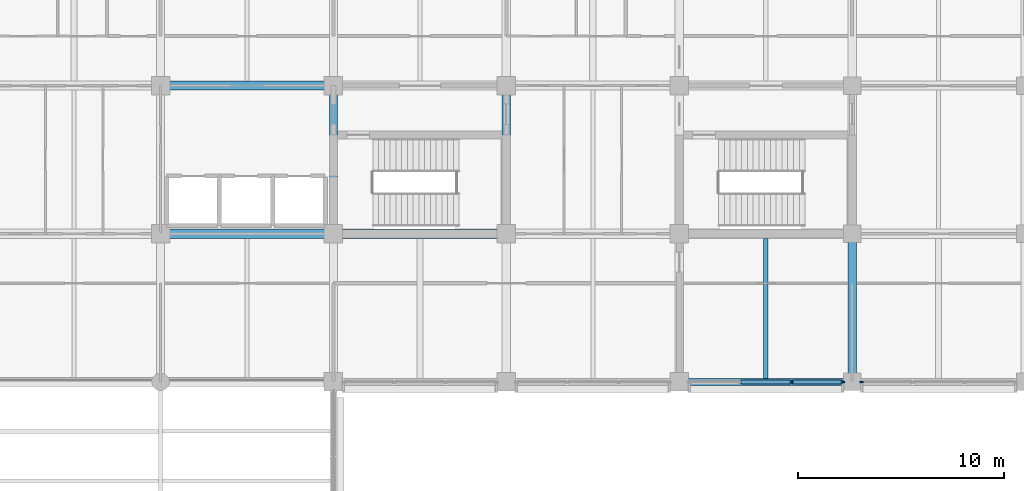
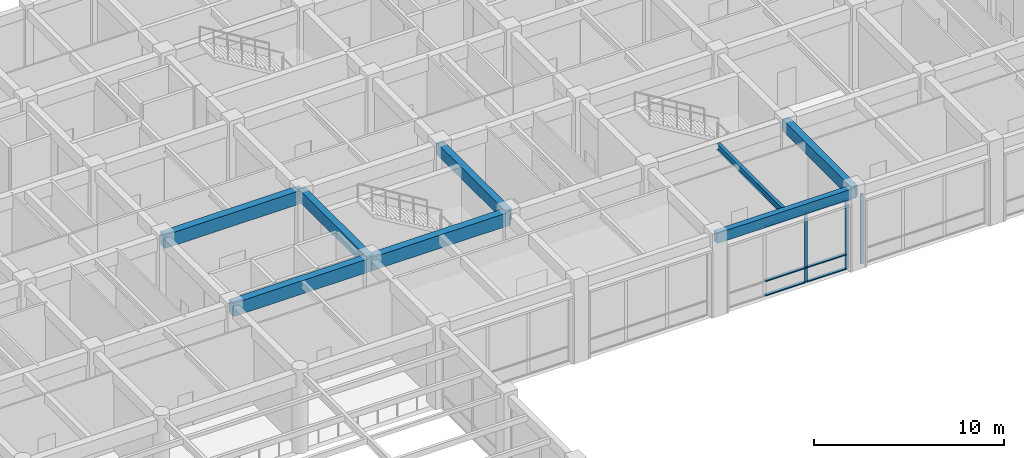
# One storey, part 13 of 58: 9 members, 8 beams, 2 elements without a shape of their own.
"""IFC4 building model written with IfcOpenShell, lengths in metres."""

from ifc_helpers import new_model, si_unit, direction, frame, origin, origin_2d, place, context, subcontext, project, spatial, rectangle, i_section, extrude, material, layer, layer_set, material_profile, profile_set, type_object, element, aggregate, save


model = new_model("IFC4")

# Units and contexts
model_context = context("Model", 3, precision=1e-05, world=origin(), true_north=direction((0.0, 1.0)))
body_context = subcontext(model_context, "Body", "Model", "MODEL_VIEW")
ifc_project = project(units=[si_unit("LENGTHUNIT", "METRE"), si_unit("AREAUNIT", "SQUARE_METRE"), si_unit("VOLUMEUNIT", "CUBIC_METRE"), si_unit("PLANEANGLEUNIT", "RADIAN"), si_unit("MASSUNIT", "GRAM", prefix="KILO")], contexts=[model_context])

# Site, building, storey
site_placement = place(None, origin())
site = spatial("IfcSite", under=ifc_project, at=site_placement, CompositionType="ELEMENT")
building_placement = place(site_placement, origin())
building = spatial("IfcBuilding", under=site, at=building_placement, Name="Chengyuan Square Courthouse", CompositionType="ELEMENT")
storey_placement = place(building_placement, frame((0.0, 0.0, 16.199951171875)))
storey = spatial("IfcBuildingStorey", under=building, at=storey_placement, Name="L04", CompositionType="ELEMENT", Elevation=16.199951171875)

# Beams
ifc_material_1 = material(Name="Concrete C40", Category="concrete")
ifc_material_profile_1 = material_profile(ifc_material_1, rectangle(XDim=0.449951171875, YDim=0.85009765625, at=origin_2d()), Name="RC-BM-450x850")
ifc_profile_set_1 = profile_set([ifc_material_profile_1], Name="Concrete C40")
beam_type_1 = type_object("IfcBeamType", Name="BM-01", PredefinedType="USERDEFINED", material=ifc_profile_set_1)
beam_1_placement = place(storey_placement, frame((92.39990234375, 86.39990234375, 4.695068359375), z_axis=(1.0, 0.0, 0.0), x_axis=(0.0, 1.0, 0.0)))
element("IfcBeam", 1, at=beam_1_placement, inside=storey, type_object=beam_type_1, Name="Girder BM-L04-2892", ObjectType="GIRDER", PredefinedType="USERDEFINED", context=body_context, shape_type="SweptSolid", body=[
    extrude(rectangle(XDim=0.449951171875, YDim=0.85009765625, at=origin_2d()), origin(), (0.0, 0.0, 1.0), 8.400146484375),
])
beam_2_placement = place(storey_placement, frame((100.800048828125, 86.39990234375, 4.695068359375), z_axis=(1.0, 0.0, 0.0), x_axis=(0.0, 1.0, 0.0)))
element("IfcBeam", 2, at=beam_2_placement, inside=storey, type_object=beam_type_1, Name="Girder BM-L04-2893", ObjectType="GIRDER", PredefinedType="USERDEFINED", context=body_context, shape_type="SweptSolid", body=[
    extrude(rectangle(XDim=0.449951171875, YDim=0.85009765625, at=origin_2d()), origin(), (0.0, 0.0, 1.0), 8.39990234375),
])
beam_3_placement = place(storey_placement, frame((92.39990234375, 93.60009765625, 4.695068359375), z_axis=(1.0, 0.0, 0.0), x_axis=(0.0, 1.0, 0.0)))
element("IfcBeam", 3, at=beam_3_placement, inside=storey, type_object=beam_type_1, Name="Girder BM-L04-2912", ObjectType="GIRDER", PredefinedType="USERDEFINED", context=body_context, shape_type="SweptSolid", body=[
    extrude(rectangle(XDim=0.449951171875, YDim=0.85009765625, at=origin_2d()), origin(), (0.0, 0.0, 1.0), 8.400146484375),
])
ifc_material_profile_2 = material_profile(ifc_material_1, rectangle(XDim=0.39990234375, YDim=0.75, at=origin_2d()), Name="RC-BM-400x750")
ifc_profile_set_2 = profile_set([ifc_material_profile_2], Name="Concrete C40")
beam_type_2 = type_object("IfcBeamType", Name="BM-02", PredefinedType="USERDEFINED", material=ifc_profile_set_2)
for number, where, z_axis, x_axis, name in (
    (4, (100.800048828125, 86.39990234375, 4.7451171875), (0.0, 1.0, 0.0), (-1.0, 0.0, 0.0), "Girder BM-L04-3043"),
    (5, (109.199951171875, 86.39990234375, 4.7451171875), (0.0, 1.0, 0.0), (-1.0, 0.0, 0.0), "Girder BM-L04-3048"),
):
    element("IfcBeam", number, at=place(storey_placement, frame(where, z_axis=z_axis, x_axis=x_axis)), inside=storey, type_object=beam_type_2, Name=name, ObjectType="GIRDER", PredefinedType="USERDEFINED", context=body_context, shape_type="SweptSolid", body=[
        extrude(rectangle(XDim=0.39990234375, YDim=0.75, at=origin_2d()), origin(), (0.0, 0.0, 1.0), 7.2001953125),
    ])
beam_4_placement = place(storey_placement, frame((126.0, 79.199951171875, 4.7451171875), z_axis=(0.0, 1.0, 0.0), x_axis=(-1.0, 0.0, 0.0)))
element("IfcBeam", 6, at=beam_4_placement, inside=storey, type_object=beam_type_2, Name="Girder BM-L04-3057", ObjectType="GIRDER", PredefinedType="USERDEFINED", context=body_context, shape_type="SweptSolid", body=[
    extrude(rectangle(XDim=0.39990234375, YDim=0.75, at=origin_2d()), origin(), (0.0, 0.0, 1.0), 7.199951171875),
])
ifc_material_profile_3 = material_profile(ifc_material_1, rectangle(XDim=0.35009765625, YDim=0.64990234375, at=origin_2d()), Name="RC-BM-350x650")
ifc_profile_set_3 = profile_set([ifc_material_profile_3], Name="Concrete C40")
beam_type_3 = type_object("IfcBeamType", Name="BM-03", PredefinedType="SPANDREL", material=ifc_profile_set_3)
beam_5_placement = place(storey_placement, frame((117.60009765625, 79.199951171875, 4.795166015625), z_axis=(1.0, 0.0, 0.0), x_axis=(0.0, 1.0, 0.0)))
element("IfcBeam", 7, at=beam_5_placement, inside=storey, type_object=beam_type_3, Name="Girder BM-L04-2875", PredefinedType="SPANDREL", context=body_context, shape_type="SweptSolid", body=[
    extrude(rectangle(XDim=0.35009765625, YDim=0.64990234375, at=origin_2d()), origin(), (0.0, 0.0, 1.0), 8.39990234375),
])
ifc_material_2 = material(Name="Steel Q355B", Category="steel")
ifc_material_profile_4 = material_profile(ifc_material_2, i_section(OverallWidth=0.199951171875, OverallDepth=0.39990234375, WebThickness=0.008056640625, FlangeThickness=0.012939453125, at=origin_2d()), Name="HN 400x200x8x13")
ifc_profile_set_4 = profile_set([ifc_material_profile_4], Name="Steel Q355B")
beam_type_4 = type_object("IfcBeamType", Name="BM-07", PredefinedType="BEAM", material=ifc_profile_set_4)
beam_6_placement = place(storey_placement, frame((121.800048828125, 79.375, 4.920166015625), z_axis=(0.0, 1.0, 0.0), x_axis=(-1.0, 0.0, 0.0)))
element("IfcBeam", 8, at=beam_6_placement, inside=storey, type_object=beam_type_4, Name="Secondary Floor Beam SBM-L04-3160", PredefinedType="BEAM", context=body_context, shape_type="SweptSolid", body=[
    extrude(i_section(OverallWidth=0.199951171875, OverallDepth=0.39990234375, WebThickness=0.008056640625, FlangeThickness=0.012939453125, at=origin_2d()), origin(), (0.0, 0.0, 1.0), 6.800048828125),
])

# Curtain wall, members
ifc_material_3 = material(Name="Unitised Aluminium and Triple Low-E Glass", Category="aluminium")
ifc_layer = layer(ifc_material_3, 0.179931640625)
ifc_layer_set = layer_set([ifc_layer], Name="Unitised Aluminium and Triple Low-E Glass")
curtain_wall_type = type_object("IfcCurtainWallType", Name="CW-10", PredefinedType="USERDEFINED", material=ifc_layer_set)
curtain_wall_1_placement = place(storey_placement, origin())
curtain_wall_1 = element("IfcCurtainWall", 9, at=curtain_wall_1_placement, inside=storey, type_object=curtain_wall_type, Name="Unitised Curtain Wall CW-L04-150", ObjectType="UNITISED CURTAIN WALL", PredefinedType="USERDEFINED")
ifc_material_4 = material(Name="Aluminium 6063-T6 Frame", Category="aluminium")
ifc_material_profile_5 = material_profile(ifc_material_4, rectangle(XDim=0.06494140625, YDim=0.179931640625, at=origin_2d()), Name="CW-MUL-65x180")
ifc_profile_set_5 = profile_set([ifc_material_profile_5], Name="Aluminium 6063-T6 Frame")
member_type_1 = type_object("IfcMemberType", Name="CWM-02", PredefinedType="MULLION", material=ifc_profile_set_5)
member_1_placement = place(storey_placement, frame((123.066650390625, 79.199951171875, 0.0), z_axis=(0.0, 0.0, 1.0), x_axis=(0.0, 1.0, 0.0)))
member_1 = element("IfcMember", 10, at=member_1_placement, type_object=member_type_1, Name="CW-10 mullion 3", PredefinedType="MULLION", context=body_context, shape_type="SweptSolid", body=[
    extrude(rectangle(XDim=0.06494140625, YDim=0.179931640625, at=origin_2d()), origin(), (0.0, 0.0, 1.0), 4.469970703125),
])
member_2_placement = place(storey_placement, frame((125.54248046875, 79.199951171875, 0.0), z_axis=(0.0, 0.0, 1.0), x_axis=(0.0, 1.0, 0.0)))
member_2 = element("IfcMember", 11, at=member_2_placement, type_object=member_type_1, Name="CW-10 mullion 4", PredefinedType="MULLION", context=body_context, shape_type="SweptSolid", body=[
    extrude(rectangle(XDim=0.06494140625, YDim=0.179931640625, at=origin_2d()), origin(), (0.0, 0.0, 1.0), 4.469970703125),
])

# Curtain wall, member
curtain_wall_2_placement = place(storey_placement, origin())
curtain_wall_2 = element("IfcCurtainWall", 12, at=curtain_wall_2_placement, inside=storey, type_object=curtain_wall_type, Name="Unitised Curtain Wall CW-L04-151", ObjectType="UNITISED CURTAIN WALL", PredefinedType="USERDEFINED")
member_3_placement = place(storey_placement, frame((126.45751953125, 79.199951171875, 0.0), z_axis=(0.0, 0.0, 1.0), x_axis=(0.0, 1.0, 0.0)))
member_3 = element("IfcMember", 13, at=member_3_placement, type_object=member_type_1, Name="CW-10 mullion 1", PredefinedType="MULLION", context=body_context, shape_type="SweptSolid", body=[
    extrude(rectangle(XDim=0.06494140625, YDim=0.179931640625, at=origin_2d()), origin(), (0.0, 0.0, 1.0), 4.469970703125),
])
aggregate(curtain_wall_2, [member_3])

# Member
ifc_material_profile_6 = material_profile(ifc_material_4, rectangle(XDim=0.179931640625, YDim=0.06494140625, at=origin_2d()), Name="CW-TRN-65x140")
ifc_profile_set_6 = profile_set([ifc_material_profile_6], Name="Aluminium 6063-T6 Frame")
member_type_2 = type_object("IfcMemberType", Name="CWT-02", PredefinedType="USERDEFINED", material=ifc_profile_set_6)
member_4_placement = place(storey_placement, frame((120.5908203125, 79.199951171875, 0.032470703125), z_axis=(1.0, 0.0, 0.0), x_axis=(0.0, 1.0, 0.0)))
member_4 = element("IfcMember", 14, at=member_4_placement, type_object=member_type_2, Name="CW-10 transom 2.1", ObjectType="TRANSOM", PredefinedType="USERDEFINED", context=body_context, shape_type="SweptSolid", body=[
    extrude(rectangle(XDim=0.179931640625, YDim=0.06494140625, at=origin_2d()), origin(), (0.0, 0.0, 1.0), 2.443359375),
])

member_5_placement = place(storey_placement, frame((120.5908203125, 79.199951171875, 0.949951171875), z_axis=(1.0, 0.0, 0.0), x_axis=(0.0, 1.0, 0.0)))
member_5 = element("IfcMember", 15, at=member_5_placement, type_object=member_type_2, Name="CW-10 transom 2.2", ObjectType="TRANSOM", PredefinedType="USERDEFINED", context=body_context, shape_type="SweptSolid", body=[
    extrude(rectangle(XDim=0.179931640625, YDim=0.06494140625, at=origin_2d()), origin(), (0.0, 0.0, 1.0), 2.443359375),
])

member_6_placement = place(storey_placement, frame((120.5908203125, 79.199951171875, 4.4375), z_axis=(1.0, 0.0, 0.0), x_axis=(0.0, 1.0, 0.0)))
member_6 = element("IfcMember", 16, at=member_6_placement, type_object=member_type_2, Name="CW-10 transom 2.3", ObjectType="TRANSOM", PredefinedType="USERDEFINED", context=body_context, shape_type="SweptSolid", body=[
    extrude(rectangle(XDim=0.179931640625, YDim=0.06494140625, at=origin_2d()), origin(), (0.0, 0.0, 1.0), 2.443359375),
])

member_7_placement = place(storey_placement, frame((123.09912109375, 79.199951171875, 0.032470703125), z_axis=(1.0, 0.0, 0.0), x_axis=(0.0, 1.0, 0.0)))
member_7 = element("IfcMember", 17, at=member_7_placement, type_object=member_type_2, Name="CW-10 transom 3.1", ObjectType="TRANSOM", PredefinedType="USERDEFINED", context=body_context, shape_type="SweptSolid", body=[
    extrude(rectangle(XDim=0.179931640625, YDim=0.06494140625, at=origin_2d()), origin(), (0.0, 0.0, 1.0), 2.410888671875),
])

member_8_placement = place(storey_placement, frame((123.09912109375, 79.199951171875, 0.949951171875), z_axis=(1.0, 0.0, 0.0), x_axis=(0.0, 1.0, 0.0)))
member_8 = element("IfcMember", 18, at=member_8_placement, type_object=member_type_2, Name="CW-10 transom 3.2", ObjectType="TRANSOM", PredefinedType="USERDEFINED", context=body_context, shape_type="SweptSolid", body=[
    extrude(rectangle(XDim=0.179931640625, YDim=0.06494140625, at=origin_2d()), origin(), (0.0, 0.0, 1.0), 2.410888671875),
])

member_9_placement = place(storey_placement, frame((123.09912109375, 79.199951171875, 4.4375), z_axis=(1.0, 0.0, 0.0), x_axis=(0.0, 1.0, 0.0)))
member_9 = element("IfcMember", 19, at=member_9_placement, type_object=member_type_2, Name="CW-10 transom 3.3", ObjectType="TRANSOM", PredefinedType="USERDEFINED", context=body_context, shape_type="SweptSolid", body=[
    extrude(rectangle(XDim=0.179931640625, YDim=0.06494140625, at=origin_2d()), origin(), (0.0, 0.0, 1.0), 2.410888671875),
])

aggregate(curtain_wall_1, [member_1, member_2, member_4, member_5, member_6, member_7, member_8, member_9])

save(model, "model.ifc")
